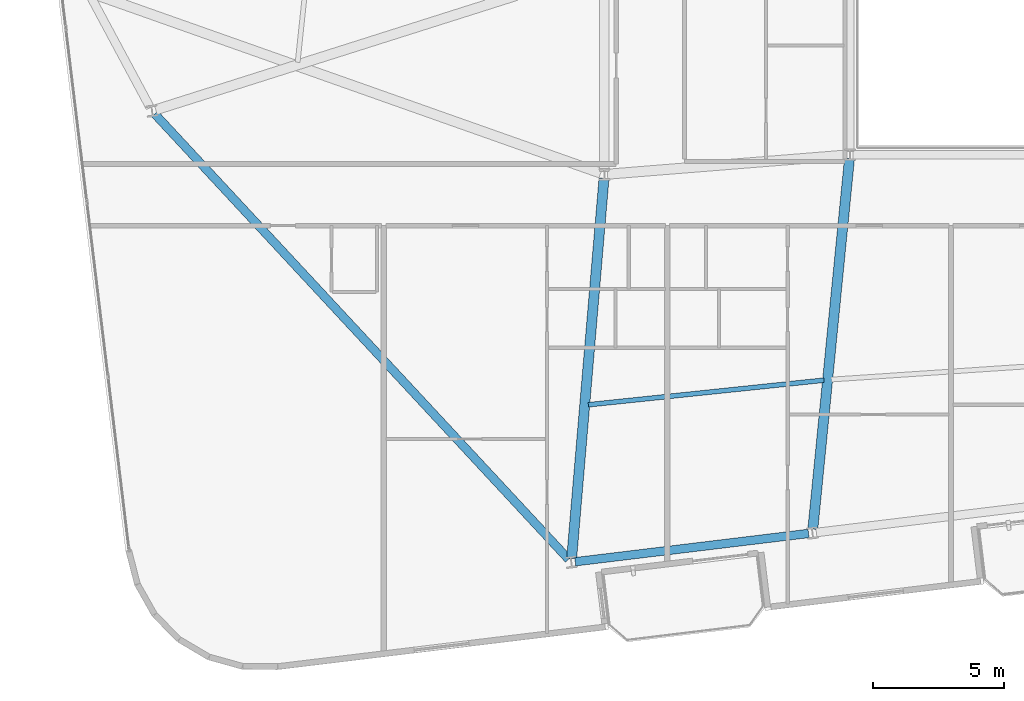
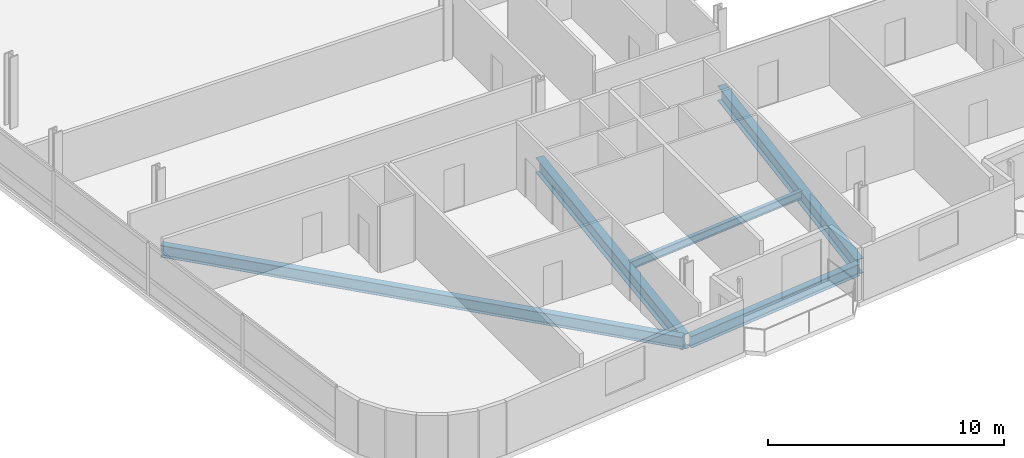
# One storey, part 3 of 23: 5 beams.
"""IFC4 building model written with IfcOpenShell, lengths in metres."""

from ifc_helpers import new_model, si_unit, direction, frame, origin, origin_2d, place, context, subcontext, project, spatial, i_section, extrude, material, material_profile, profile_set, type_object, element, save


model = new_model("IFC4")

# Units and contexts
model_context = context("Model", 3, precision=1e-05, world=origin(), true_north=direction((0.0, 1.0)))
body_context = subcontext(model_context, "Body", "Model", "MODEL_VIEW")
ifc_project = project(units=[si_unit("LENGTHUNIT", "METRE"), si_unit("AREAUNIT", "SQUARE_METRE"), si_unit("VOLUMEUNIT", "CUBIC_METRE"), si_unit("PLANEANGLEUNIT", "RADIAN"), si_unit("MASSUNIT", "GRAM", prefix="KILO")], contexts=[model_context])

# Site, building, storey
site_placement = place(None, origin())
site = spatial("IfcSite", under=ifc_project, at=site_placement, CompositionType="ELEMENT")
building_placement = place(site_placement, origin())
building = spatial("IfcBuilding", under=site, at=building_placement, Name="Varnelok Gate Tower", CompositionType="ELEMENT")
storey_placement = place(building_placement, frame((0.0, 0.0, 170.89990234375)))
storey = spatial("IfcBuildingStorey", under=building, at=storey_placement, Name="L43", CompositionType="ELEMENT", Elevation=170.89990234375)

# Beams
ifc_material = material(Name="Structural Steel ASTM A992 Grade 50", Category="steel")
ifc_material_profile_1 = material_profile(ifc_material, i_section(OverallWidth=0.180908203125, OverallDepth=0.4169921875, WebThickness=0.010986328125, FlangeThickness=0.018310546875, FilletRadius=0.013916015625, at=origin_2d()), Name="W16X57")
ifc_profile_set_1 = profile_set([ifc_material_profile_1], Name="Structural Steel ASTM A992 Grade 50")
beam_type_1 = type_object("IfcBeamType", Name="BM-JST-W16X57", PredefinedType="JOIST", material=ifc_profile_set_1)
beam_1_placement = place(storey_placement, frame((23.791015625, 10.0283203125, -0.45849609375), z_axis=(0.994593629184, 0.103843694018, 0.0), x_axis=(-0.103843694018, 0.994593629184, 0.0)))
element("IfcBeam", 1, at=beam_1_placement, inside=storey, type_object=beam_type_1, Name="L43 Sector Floor Joist 1", PredefinedType="JOIST", context=body_context, shape_type="SweptSolid", body=[
    extrude(i_section(OverallWidth=0.180908203125, OverallDepth=0.4169921875, WebThickness=0.010986328125, FlangeThickness=0.018310546875, FilletRadius=0.013916015625, at=origin_2d()), origin(), (0.0, 0.0, 1.0), 9.02099609375),
])
ifc_material_profile_2 = material_profile(ifc_material, i_section(OverallWidth=0.381103515625, OverallDepth=0.77294921875, WebThickness=0.0166015625, FlangeThickness=0.027099609375, FilletRadius=0.02197265625, at=origin_2d()), Name="W30X173")
ifc_profile_set_2 = profile_set([ifc_material_profile_2], Name="Structural Steel ASTM A992 Grade 50")
beam_type_2 = type_object("IfcBeamType", Name="BM-PRI-W30X173", PredefinedType="BEAM", material=ifc_profile_set_2)
beam_2_placement = place(storey_placement, frame((24.38720703125, 18.650390625, -0.636474609375), z_axis=(-0.08482646823, -0.996395739798, 0.0), x_axis=(0.996395739798, -0.08482646823, 0.0)))
element("IfcBeam", 2, at=beam_2_placement, inside=storey, type_object=beam_type_2, Name="L43 Radial Floor Girder 1", PredefinedType="BEAM", context=body_context, shape_type="SweptSolid", body=[
    extrude(i_section(OverallWidth=0.381103515625, OverallDepth=0.77294921875, WebThickness=0.0166015625, FlangeThickness=0.027099609375, FilletRadius=0.02197265625, at=origin_2d()), origin(), (0.0, 0.0, 1.0), 14.52001953125),
])
beam_3_placement = place(storey_placement, frame((33.735107421875, 19.400634765625, -0.636474609375), z_axis=(-0.098420734253, -0.995144893505, 0.0), x_axis=(0.995144893505, -0.098420734253, 0.0)))
element("IfcBeam", 3, at=beam_3_placement, inside=storey, type_object=beam_type_2, Name="L43 Radial Floor Girder 2", PredefinedType="BEAM", context=body_context, shape_type="SweptSolid", body=[
    extrude(i_section(OverallWidth=0.381103515625, OverallDepth=0.77294921875, WebThickness=0.0166015625, FlangeThickness=0.027099609375, FilletRadius=0.02197265625, at=origin_2d()), origin(), (0.0, 0.0, 1.0), 14.174072265625),
])
ifc_material_profile_3 = material_profile(ifc_material, i_section(OverallWidth=0.323974609375, OverallDepth=0.611083984375, WebThickness=0.0126953125, FlangeThickness=0.01904296875, FilletRadius=0.01806640625, at=origin_2d()), Name="W24X104")
ifc_profile_set_3 = profile_set([ifc_material_profile_3], Name="Structural Steel ASTM A992 Grade 50")
beam_type_3 = type_object("IfcBeamType", Name="BM-SPN-W24X104", PredefinedType="SPANDREL", material=ifc_profile_set_3)
beam_4_placement = place(storey_placement, frame((23.29150390625, 4.051025390625, -0.555419921875), z_axis=(0.99273141198, 0.120350918849, 0.0), x_axis=(-0.120350918849, 0.99273141198, 0.0)))
element("IfcBeam", 4, at=beam_4_placement, inside=storey, type_object=beam_type_3, Name="L43 Perimeter Spandrel Beam 1", PredefinedType="SPANDREL", context=body_context, shape_type="SweptSolid", body=[
    extrude(i_section(OverallWidth=0.323974609375, OverallDepth=0.611083984375, WebThickness=0.0126953125, FlangeThickness=0.01904296875, FilletRadius=0.01806640625, at=origin_2d()), origin(), (0.0, 0.0, 1.0), 8.949951171875),
])
beam_5_placement = place(storey_placement, frame((7.27685546875, 21.106201171875, -0.555419921875), z_axis=(0.680728456616, -0.732535847828, 0.0), x_axis=(0.732535847828, 0.680728456616, 0.0)))
element("IfcBeam", 5, at=beam_5_placement, inside=storey, type_object=beam_type_3, Name="L43 Perimeter Spandrel Beam 16", PredefinedType="SPANDREL", context=body_context, shape_type="SweptSolid", body=[
    extrude(i_section(OverallWidth=0.323974609375, OverallDepth=0.611083984375, WebThickness=0.0126953125, FlangeThickness=0.01904296875, FilletRadius=0.01806640625, at=origin_2d()), origin(), (0.0, 0.0, 1.0), 23.156982421875),
])

save(model, "model.ifc")
